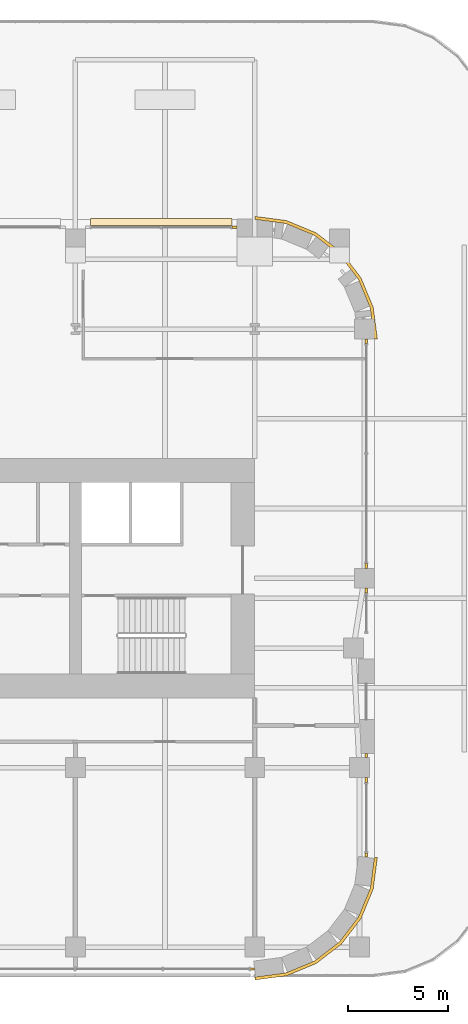
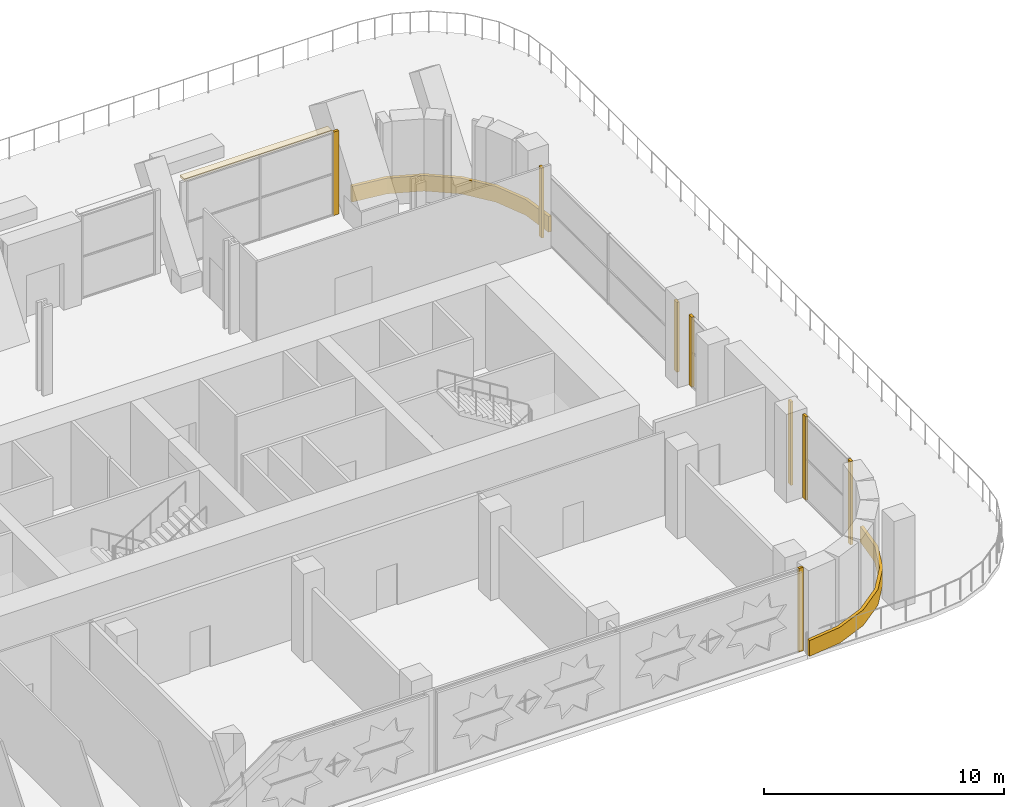
# One storey, part 24 of 26: 11 coverings.
"""IFC4 building model written with IfcOpenShell, lengths in metres."""

from ifc_helpers import new_model, si_unit, direction, frame, origin, origin_2d, place, context, subcontext, project, spatial, polyline, rectangle, outline, extrude, material, layer, layer_set, type_object, element, save


model = new_model("IFC4")

# Units and contexts
model_context = context("Model", 3, precision=1e-05, world=origin(), true_north=direction((0.0, 1.0)))
body_context = subcontext(model_context, "Body", "Model", "MODEL_VIEW")
ifc_project = project(units=[si_unit("LENGTHUNIT", "METRE"), si_unit("AREAUNIT", "SQUARE_METRE"), si_unit("VOLUMEUNIT", "CUBIC_METRE"), si_unit("PLANEANGLEUNIT", "RADIAN"), si_unit("MASSUNIT", "GRAM", prefix="KILO")], contexts=[model_context])

# Site, building, storey
site_placement = place(None, origin())
site = spatial("IfcSite", under=ifc_project, at=site_placement, CompositionType="ELEMENT")
building_placement = place(site_placement, origin())
building = spatial("IfcBuilding", under=site, at=building_placement, Name="Zellij Exchange Tower", CompositionType="ELEMENT")
storey_placement = place(building_placement, frame((0.0, 0.0, 39.0)))
storey = spatial("IfcBuildingStorey", under=building, at=storey_placement, Name="L06", CompositionType="ELEMENT", Elevation=39.0)

# Coverings
ifc_material_1 = material(Name="Limestone cladding", Category="masonry")
ifc_layer_1 = layer(ifc_material_1, 0.14990234375)
ifc_layer_set_1 = layer_set([ifc_layer_1], Name="Limestone cladding")
covering_type_1 = type_object("IfcCoveringType", Name="ENV-CV1 Stone spandrel band 150", PredefinedType="CLADDING", material=ifc_layer_set_1)
covering_1_placement = place(storey_placement, origin())
element("IfcCovering", 1, at=covering_1_placement, inside=storey, type_object=covering_type_1, Name="Stone spandrel band", PredefinedType="CLADDING", context=body_context, shape_type="SweptSolid", body=[
    extrude(outline(polyline([(27.0, -28.0), (28.552978515625, -27.795654296875), (30.0, -27.1962890625), (31.24267578125, -26.24267578125), (32.1962890625, -25.0), (32.795654296875, -23.552978515625), (33.0, -22.0), (33.14990234375, -22.009765625), (32.941650390625, -23.592041015625), (32.3271484375, -25.07568359375), (31.349609375, -26.349609375), (30.07568359375, -27.3271484375), (28.592041015625, -27.941650390625), (27.009765625, -28.14990234375), (27.0, -28.0)])), origin(), (0.0, 0.0, 1.0), 0.800048828125),
])
covering_2_placement = place(storey_placement, origin())
element("IfcCovering", 2, at=covering_2_placement, inside=storey, type_object=covering_type_1, Name="Stone spandrel band", PredefinedType="CLADDING", context=body_context, shape_type="SweptSolid", body=[
    extrude(outline(polyline([(33.0, 4.0), (32.795654296875, 5.552978515625), (32.1962890625, 7.0), (31.24267578125, 8.24267578125), (30.0, 9.1962890625), (28.552978515625, 9.795654296875), (27.0, 10.0), (27.009765625, 10.14990234375), (28.592041015625, 9.941650390625), (30.07568359375, 9.3271484375), (31.349609375, 8.349609375), (32.3271484375, 7.07568359375), (32.941650390625, 5.592041015625), (33.14990234375, 4.009765625), (33.0, 4.0)])), origin(), (0.0, 0.0, 1.0), 0.800048828125),
])
ifc_layer_2 = layer(ifc_material_1, 0.1201171875)
ifc_layer_set_2 = layer_set([ifc_layer_2], Name="Limestone cladding")
covering_type_2 = type_object("IfcCoveringType", Name="ENV-CV18 Glazing closer 120", PredefinedType="CLADDING", material=ifc_layer_set_2)
covering_3_placement = place(storey_placement, frame((32.60009765625, -18.125, 0.0), z_axis=(0.0, 0.0, 1.0), x_axis=(0.0, 1.0, 0.0)))
element("IfcCovering", 3, at=covering_3_placement, inside=storey, type_object=covering_type_2, Name="Glazing closer", PredefinedType="CLADDING", context=body_context, shape_type="SweptSolid", body=[
    extrude(rectangle(XDim=0.25, YDim=0.1201171875, at=origin_2d()), origin(), (0.0, 0.0, 1.0), 4.25),
])
for number, where, z_axis, x_axis, name in (
    (4, (32.60009765625, -8.625, 0.0), (0.0, 0.0, 1.0), (0.0, 1.0, 0.0), "Glazing closer"),
    (5, (32.60009765625, -7.375, 0.0), (0.0, 0.0, 1.0), (0.0, -1.0, 0.0), "Glazing closer"),
):
    element("IfcCovering", number, at=place(storey_placement, frame(where, z_axis=z_axis, x_axis=x_axis)), inside=storey, type_object=covering_type_2, Name=name, PredefinedType="CLADDING", context=body_context, shape_type="SweptSolid", body=[
        extrude(rectangle(XDim=0.25, YDim=0.1201171875, at=origin_2d()), origin(), (0.0, 0.0, 1.0), 3.561767578125),
    ])
covering_4_placement = place(storey_placement, frame((25.97509765625, 9.60009765625, 0.0), z_axis=(0.0, 0.0, 1.0), x_axis=(1.0, 0.0, 0.0)))
element("IfcCovering", 6, at=covering_4_placement, inside=storey, type_object=covering_type_2, Name="Glazing closer", PredefinedType="CLADDING", context=body_context, shape_type="SweptSolid", body=[
    extrude(rectangle(XDim=0.25, YDim=0.1201171875, at=origin_2d()), origin(), (0.0, 0.0, 1.0), 4.25),
])
covering_5_placement = place(storey_placement, frame((32.60009765625, 3.886962890625, 0.0), z_axis=(0.0, 0.0, 1.0), x_axis=(0.0, 1.0, 0.0)))
element("IfcCovering", 7, at=covering_5_placement, inside=storey, type_object=covering_type_2, Name="Glazing closer", PredefinedType="CLADDING", context=body_context, shape_type="SweptSolid", body=[
    extrude(rectangle(XDim=0.226318359375, YDim=0.1201171875, at=origin_2d()), origin(), (0.0, 0.0, 1.0), 3.561767578125),
])
for number, where, z_axis, x_axis, name in (
    (8, (26.883056640625, -27.60009765625, 0.0), (0.0, 0.0, 1.0), (1.0, 0.0, 0.0), "Glazing closer"),
    (9, (32.60009765625, -21.883056640625, 0.0), (0.0, 0.0, 1.0), (0.0, -1.0, 0.0), "Glazing closer"),
):
    element("IfcCovering", number, at=place(storey_placement, frame(where, z_axis=z_axis, x_axis=x_axis)), inside=storey, type_object=covering_type_2, Name=name, PredefinedType="CLADDING", context=body_context, shape_type="SweptSolid", body=[
        extrude(rectangle(XDim=0.218505859375, YDim=0.1201171875, at=origin_2d()), origin(), (0.0, 0.0, 1.0), 4.25),
    ])
covering_6_placement = place(storey_placement, frame((32.60009765625, -16.89208984375, 0.0), z_axis=(0.0, 0.0, 1.0), x_axis=(0.0, -1.0, 0.0)))
element("IfcCovering", 10, at=covering_6_placement, inside=storey, type_object=covering_type_2, Name="Glazing closer", PredefinedType="CLADDING", context=body_context, shape_type="SweptSolid", body=[
    extrude(rectangle(XDim=0.2158203125, YDim=0.1201171875, at=origin_2d()), origin(), (0.0, 0.0, 1.0), 4.25),
])
ifc_material_2 = material(Name="Limestone sunshade", Category="masonry")
ifc_layer_3 = layer(ifc_material_2, 0.1201171875)
ifc_layer_set_3 = layer_set([ifc_layer_3], Name="Limestone sunshade")
covering_type_3 = type_object("IfcCoveringType", Name="ENV-SC2 Stone sunshade 120", PredefinedType="USERDEFINED", material=ifc_layer_set_3)
covering_7_placement = place(storey_placement, frame((0.0, 0.0, 4.1298828125)))
element("IfcCovering", 11, at=covering_7_placement, inside=storey, type_object=covering_type_3, Name="Stone sunshade", ObjectType="SUNSHADE", PredefinedType="USERDEFINED", context=body_context, shape_type="SweptSolid", body=[
    extrude(outline(polyline([(25.85009765625, 9.699951171875), (18.75, 9.699951171875), (18.75, 10.050048828125), (25.85009765625, 10.050048828125), (25.85009765625, 9.699951171875)])), origin(), (0.0, 0.0, 1.0), 0.1201171875),
])

save(model, "model.ifc")
